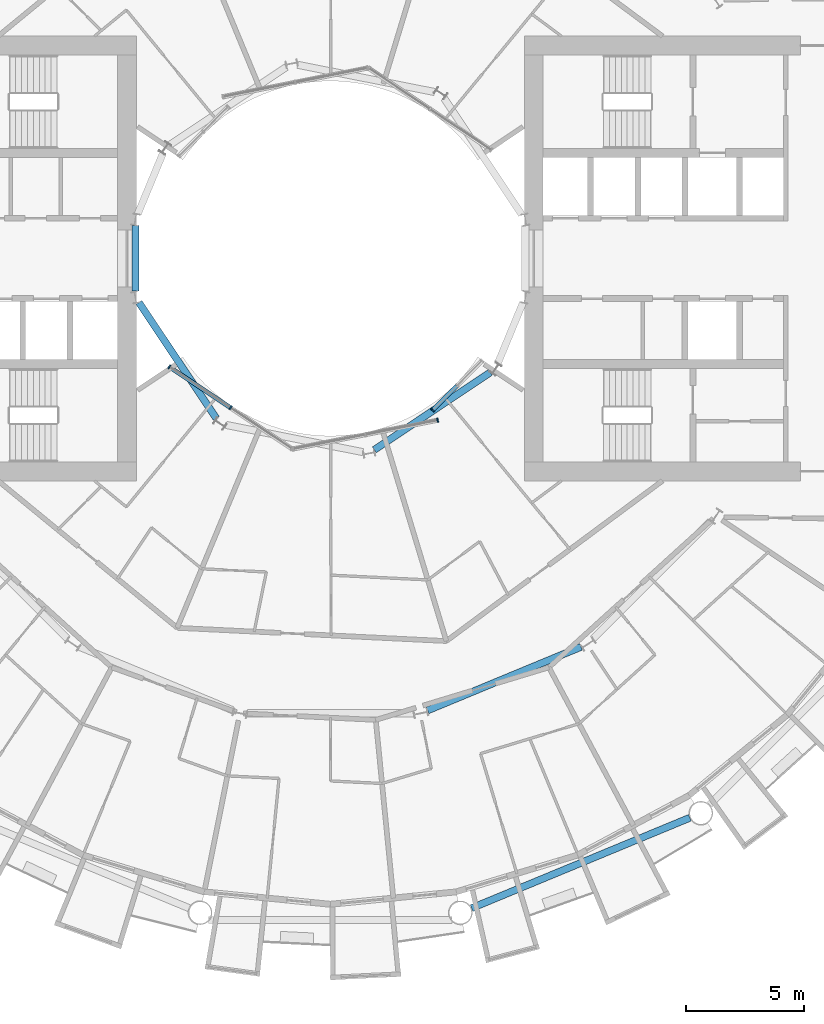
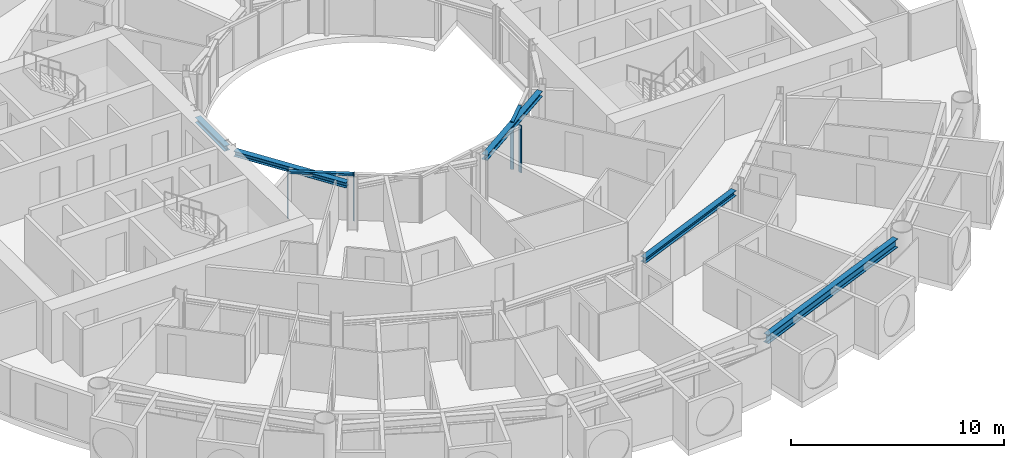
# One storey, part 5 of 26: 6 members, 5 beams, 3 elements without a shape of their own.
"""IFC4 building model written with IfcOpenShell, lengths in metres."""

from ifc_helpers import new_model, si_unit, direction, frame, origin, origin_2d, place, context, subcontext, project, spatial, rectangle, i_section, extrude, material, layer, layer_set, material_profile, profile_set, type_object, element, aggregate, save


model = new_model("IFC4")

# Units and contexts
model_context = context("Model", 3, precision=1e-05, world=origin(), true_north=direction((0.0, 1.0)))
body_context = subcontext(model_context, "Body", "Model", "MODEL_VIEW")
ifc_project = project(units=[si_unit("LENGTHUNIT", "METRE"), si_unit("AREAUNIT", "SQUARE_METRE"), si_unit("VOLUMEUNIT", "CUBIC_METRE"), si_unit("PLANEANGLEUNIT", "RADIAN"), si_unit("MASSUNIT", "GRAM", prefix="KILO")], contexts=[model_context])

# Site, building, storey
site_placement = place(None, origin())
site = spatial("IfcSite", under=ifc_project, at=site_placement, CompositionType="ELEMENT")
building_placement = place(site_placement, origin())
building = spatial("IfcBuilding", under=site, at=building_placement, Name="Maasbend Ring Residences", CompositionType="ELEMENT")
storey_placement = place(building_placement, frame((0.0, 0.0, 44.14990234375)))
storey = spatial("IfcBuildingStorey", under=building, at=storey_placement, Name="L12", CompositionType="ELEMENT", Elevation=44.14990234375)

# Curtain wall, members
ifc_material_1 = material(Name="Aluminium and clear glass", Category="aluminium")
ifc_layer = layer(ifc_material_1, 0.179931640625)
ifc_layer_set = layer_set([ifc_layer], Name="CW-W")
curtain_wall_type = type_object("IfcCurtainWallType", Name="CW-W", PredefinedType="NOTDEFINED", material=ifc_layer_set)
curtain_wall_1_placement = place(storey_placement, origin())
curtain_wall_1 = element("IfcCurtainWall", 1, at=curtain_wall_1_placement, inside=storey, type_object=curtain_wall_type, Name="Well curtain wall S1", PredefinedType="NOTDEFINED")
ifc_material_2 = material(Name="Aluminium 6063-T6", Category="aluminium")
ifc_material_profile_1 = material_profile(ifc_material_2, rectangle(XDim=0.179931640625, YDim=0.06005859375, at=origin_2d()), Name="AL 180x60")
ifc_profile_set_1 = profile_set([ifc_material_profile_1], Name="Aluminium 6063-T6")
member_type_1 = type_object("IfcMemberType", Name="CWM-W", PredefinedType="MULLION", material=ifc_profile_set_1)
member_1_placement = place(storey_placement, frame((-6.805908203125, -4.580810546875, 0.0), z_axis=(0.0, 0.0, 1.0), x_axis=(0.55557023302, 0.831469612303, 0.0)))
member_1 = element("IfcMember", 2, at=member_1_placement, type_object=member_type_1, Name="Mullion well face", PredefinedType="MULLION", context=body_context, shape_type="SweptSolid", body=[
    extrude(rectangle(XDim=0.179931640625, YDim=0.06005859375, at=origin_2d()), origin(), (0.0, 0.0, 1.0), 2.7001953125),
])
member_2_placement = place(storey_placement, frame((-4.216796875, -6.310791015625, 0.0), z_axis=(0.0, 0.0, 1.0), x_axis=(0.55557023302, 0.831469612303, 0.0)))
member_2 = element("IfcMember", 3, at=member_2_placement, type_object=member_type_1, Name="Mullion well face", PredefinedType="MULLION", context=body_context, shape_type="SweptSolid", body=[
    extrude(rectangle(XDim=0.179931640625, YDim=0.06005859375, at=origin_2d()), origin(), (0.0, 0.0, 1.0), 2.7001953125),
])

# Curtain wall, member
curtain_wall_2_placement = place(storey_placement, origin())
curtain_wall_2 = element("IfcCurtainWall", 4, at=curtain_wall_2_placement, inside=storey, type_object=curtain_wall_type, Name="Well curtain wall S2", PredefinedType="NOTDEFINED")
member_3_placement = place(storey_placement, frame((4.53466796875, -6.836669921875, 0.0), z_axis=(0.0, 0.0, 1.0), x_axis=(-0.195090322016, 0.980785280403, 0.0)))
member_3 = element("IfcMember", 5, at=member_3_placement, type_object=member_type_1, Name="Mullion well face", PredefinedType="MULLION", context=body_context, shape_type="SweptSolid", body=[
    extrude(rectangle(XDim=0.179931640625, YDim=0.06005859375, at=origin_2d()), origin(), (0.0, 0.0, 1.0), 2.7001953125),
])
aggregate(curtain_wall_2, [member_3])

curtain_wall_3_placement = place(storey_placement, origin())
curtain_wall_3 = element("IfcCurtainWall", 6, at=curtain_wall_3_placement, inside=storey, type_object=curtain_wall_type, Name="Well curtain wall S3", PredefinedType="NOTDEFINED")
member_4_placement = place(storey_placement, frame((4.320556640625, -6.413330078125, 0.0), z_axis=(0.0, 0.0, 1.0), x_axis=(-0.707106781187, 0.707106781187, 0.0)))
member_4 = element("IfcMember", 7, at=member_4_placement, type_object=member_type_1, Name="Mullion well face", PredefinedType="MULLION", context=body_context, shape_type="SweptSolid", body=[
    extrude(rectangle(XDim=0.179931640625, YDim=0.06005859375, at=origin_2d()), origin(), (0.0, 0.0, 1.0), 2.7001953125),
])

# Member
ifc_material_3 = material(Name="Aluminium 6063-T6", Category="aluminium")
ifc_material_profile_2 = material_profile(ifc_material_3, rectangle(XDim=0.179931640625, YDim=0.1201171875, at=origin_2d()), Name="AL 180x120")
ifc_profile_set_2 = profile_set([ifc_material_profile_2], Name="Aluminium 6063-T6")
member_type_2 = type_object("IfcMemberType", Name="CWT-W", PredefinedType="USERDEFINED", material=ifc_profile_set_2)
member_5_placement = place(storey_placement, frame((-6.781005859375, -4.59765625, 2.64013671875), z_axis=(0.831496422459, -0.555530106689, 0.0), x_axis=(0.555530106689, 0.831496422459, 0.0)))
member_5 = element("IfcMember", 8, at=member_5_placement, type_object=member_type_2, Name="Transom well face", ObjectType="TRANSOM", PredefinedType="USERDEFINED", context=body_context, shape_type="SweptSolid", body=[
    extrude(rectangle(XDim=0.179931640625, YDim=0.1201171875, at=origin_2d()), origin(), (0.0, 0.0, 1.0), 3.053955078125),
])

aggregate(curtain_wall_1, [member_1, member_2, member_5])

member_6_placement = place(storey_placement, frame((4.341796875, -6.39208984375, 2.64013671875), z_axis=(0.707106781187, 0.707106781187, 0.0), x_axis=(-0.707106781187, 0.707106781187, 0.0)))
member_6 = element("IfcMember", 9, at=member_6_placement, type_object=member_type_2, Name="Transom well face", ObjectType="TRANSOM", PredefinedType="USERDEFINED", context=body_context, shape_type="SweptSolid", body=[
    extrude(rectangle(XDim=0.179931640625, YDim=0.1201171875, at=origin_2d()), origin(), (0.0, 0.0, 1.0), 1.419677734375),
])

aggregate(curtain_wall_3, [member_4, member_6])

# Beams
ifc_material_4 = material(Name="Steel S355J2", Category="steel")
ifc_material_profile_3 = material_profile(ifc_material_4, i_section(OverallWidth=0.300048828125, OverallDepth=0.300048828125, WebThickness=0.010986328125, FlangeThickness=0.01904296875, FilletRadius=0.027099609375, at=origin_2d()), Name="HEB 300")
ifc_profile_set_3 = profile_set([ifc_material_profile_3], Name="Steel S355J2")
beam_type_1 = type_object("IfcBeamType", Name="Corridor ring beam HEB 300", PredefinedType="BEAM", material=ifc_profile_set_3)
beam_1_placement = place(storey_placement, frame((4.11572265625, -19.102294921875, 2.550048828125), z_axis=(0.923886196809, 0.38266734293, 0.0), x_axis=(-0.38266734293, 0.923886196809, 0.0)))
element("IfcBeam", 10, at=beam_1_placement, inside=storey, type_object=beam_type_1, Name="Corridor ring beam", PredefinedType="BEAM", context=body_context, shape_type="SweptSolid", body=[
    extrude(i_section(OverallWidth=0.300048828125, OverallDepth=0.300048828125, WebThickness=0.010986328125, FlangeThickness=0.01904296875, FilletRadius=0.027099609375, at=origin_2d()), origin(), (0.0, 0.0, 1.0), 7.015380859375),
])
ifc_material_5 = material(Name="Steel S355J2", Category="steel")
ifc_material_profile_4 = material_profile(ifc_material_5, i_section(OverallWidth=0.300048828125, OverallDepth=0.5, WebThickness=0.014404296875, FlangeThickness=0.028076171875, FilletRadius=0.027099609375, at=origin_2d()), Name="HEB 500")
ifc_profile_set_4 = profile_set([ifc_material_profile_4], Name="Steel S355J2")
beam_type_2 = type_object("IfcBeamType", Name="Spandrel ring beam HEB 500", PredefinedType="SPANDREL", material=ifc_profile_set_4)
beam_2_placement = place(storey_placement, frame((5.970703125, -27.463623046875, 2.4501953125), z_axis=(0.923886337442, 0.382667003395, 0.0), x_axis=(-0.382667003395, 0.923886337442, 0.0)))
element("IfcBeam", 11, at=beam_2_placement, inside=storey, type_object=beam_type_2, Name="Spandrel ring beam", PredefinedType="SPANDREL", context=body_context, shape_type="SweptSolid", body=[
    extrude(i_section(OverallWidth=0.300048828125, OverallDepth=0.5, WebThickness=0.014404296875, FlangeThickness=0.028076171875, FilletRadius=0.027099609375, at=origin_2d()), origin(), (0.0, 0.0, 1.0), 9.9873046875),
])
ifc_material_6 = material(Name="Steel S355J2", Category="steel")
ifc_material_profile_5 = material_profile(ifc_material_6, i_section(OverallWidth=0.300048828125, OverallDepth=0.300048828125, WebThickness=0.010986328125, FlangeThickness=0.01904296875, FilletRadius=0.027099609375, at=origin_2d()), Name="HEB 300")
ifc_profile_set_5 = profile_set([ifc_material_profile_5], Name="Steel S355J2")
beam_type_3 = type_object("IfcBeamType", Name="Well edge beam HEB 300", PredefinedType="BEAM", material=ifc_profile_set_5)
beam_3_placement = place(storey_placement, frame((-8.238525390625, 1.3837890625, 2.550048828125), z_axis=(0.0, -1.0, 0.0), x_axis=(1.0, 0.0, 0.0)))
element("IfcBeam", 12, at=beam_3_placement, inside=storey, type_object=beam_type_3, Name="Well edge beam", PredefinedType="BEAM", context=body_context, shape_type="SweptSolid", body=[
    extrude(i_section(OverallWidth=0.300048828125, OverallDepth=0.300048828125, WebThickness=0.010986328125, FlangeThickness=0.01904296875, FilletRadius=0.027099609375, at=origin_2d()), origin(), (0.0, 0.0, 1.0), 2.767578125),
])
for number, where, z_axis, x_axis, name in (
    (13, (-8.08837890625, -1.86376953125, 2.550048828125), (0.555589782054, -0.831456549723, 0.0), (0.831456549723, 0.555589782054, 0.0), "Well edge beam"),
    (14, (1.86376953125, -8.08837890625, 2.550048828125), (0.831456549723, 0.555589782054, 0.0), (-0.555589782054, 0.831456549723, 0.0), "Well edge beam"),
):
    element("IfcBeam", number, at=place(storey_placement, frame(where, z_axis=z_axis, x_axis=x_axis)), inside=storey, type_object=beam_type_3, Name=name, PredefinedType="BEAM", context=body_context, shape_type="SweptSolid", body=[
        extrude(i_section(OverallWidth=0.300048828125, OverallDepth=0.300048828125, WebThickness=0.010986328125, FlangeThickness=0.01904296875, FilletRadius=0.027099609375, at=origin_2d()), origin(), (0.0, 0.0, 1.0), 5.887939453125),
    ])

save(model, "model.ifc")
